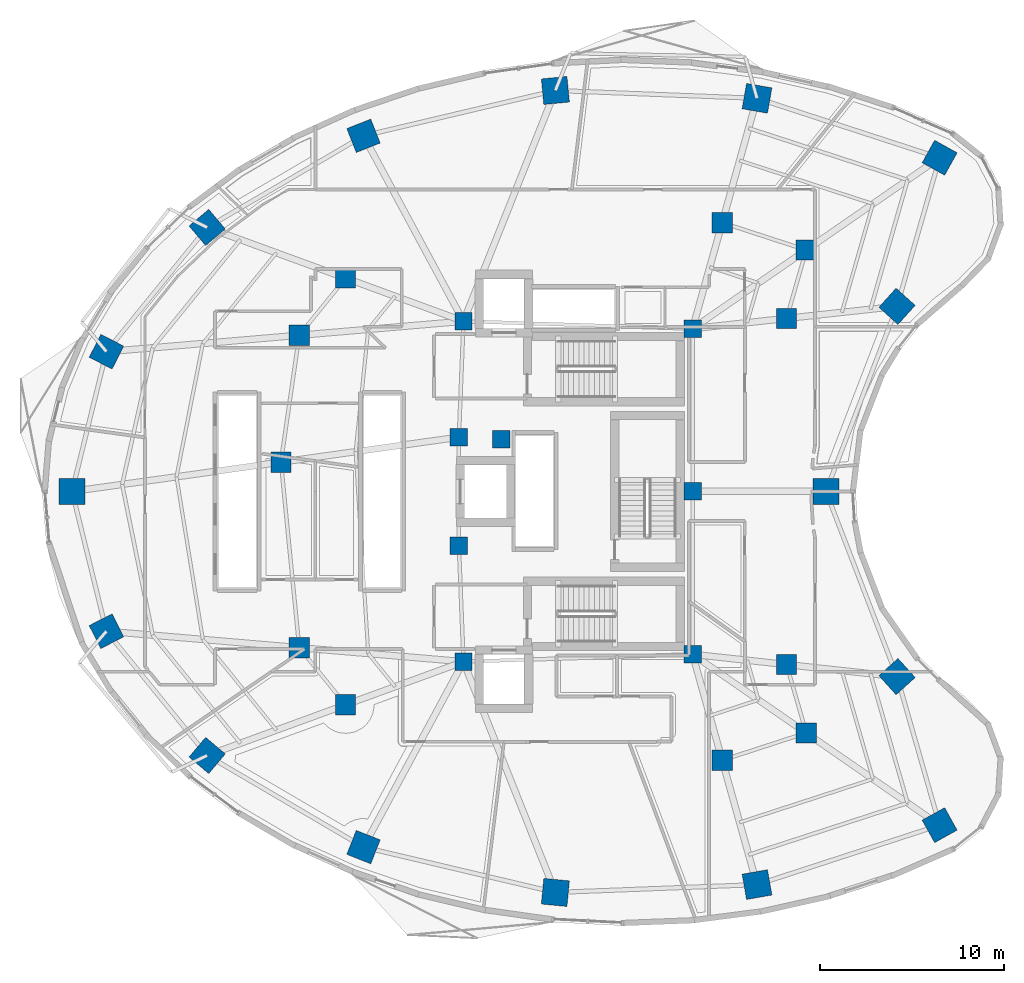
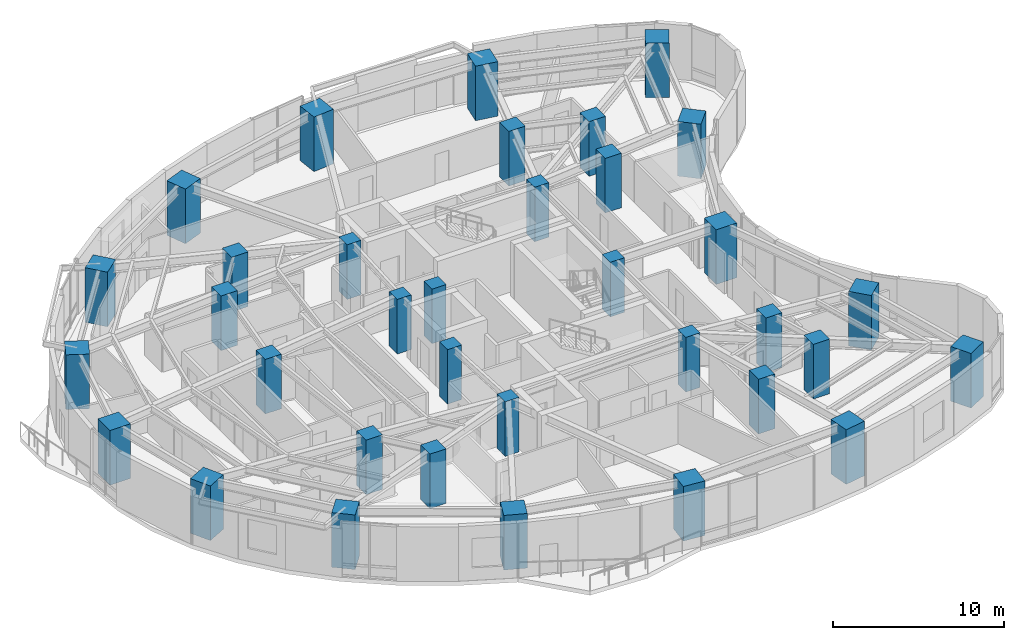
# One storey, part 1 of 16: 35 columns.
"""IFC4 building model written with IfcOpenShell, lengths in metres."""

from ifc_helpers import new_model, si_unit, direction, frame, origin, origin_2d, place, context, subcontext, project, spatial, rectangle, extrude, material, material_profile, profile_set, type_object, element, save


model = new_model("IFC4")

# Units and contexts
model_context = context("Model", 3, precision=1e-05, world=origin(), true_north=direction((0.0, 1.0)))
body_context = subcontext(model_context, "Body", "Model", "MODEL_VIEW")
ifc_project = project(units=[si_unit("LENGTHUNIT", "METRE"), si_unit("AREAUNIT", "SQUARE_METRE"), si_unit("VOLUMEUNIT", "CUBIC_METRE"), si_unit("PLANEANGLEUNIT", "RADIAN"), si_unit("MASSUNIT", "GRAM", prefix="KILO")], contexts=[model_context])

# Site, building, storey
site_placement = place(None, origin())
site = spatial("IfcSite", under=ifc_project, at=site_placement, CompositionType="ELEMENT")
building_placement = place(site_placement, origin())
building = spatial("IfcBuilding", under=site, at=building_placement, Name="Korentha Bioscience Tower", CompositionType="ELEMENT")
storey_placement = place(building_placement, frame((0.0, 0.0, 59.39990234375)))
storey = spatial("IfcBuildingStorey", under=building, at=storey_placement, Name="L13", CompositionType="ELEMENT", Elevation=59.39990234375)

# Columns
ifc_material_1 = material(Name="Concrete C65", Category="concrete")
ifc_material_profile_1 = material_profile(ifc_material_1, rectangle(XDim=0.949951171875, YDim=0.949951171875, at=origin_2d()), Name="Concrete C65")
ifc_profile_set_1 = profile_set([ifc_material_profile_1], Name="Concrete C65 (COL-CP09)")
column_type_1 = type_object("IfcColumnType", Name="Core Pilaster Column RC 950x950", PredefinedType="PILASTER", material=ifc_profile_set_1)
for number, where, z_axis, x_axis, name in (
    (1, (37.550048828125, 35.85009765625, -0.00048828125), (0.0, 0.0, 1.0), (1.0, 0.0, 0.0), "L13 Core Pilaster CP-01"),
    (2, (25.10009765625, 36.25, -0.00048828125), (0.0, 0.0, 1.0), (1.0, 0.0, 0.0), "L13 Core Pilaster CP-02"),
    (3, (24.85009765625, 29.949951171875, -0.00048828125), (0.0, 0.0, 1.0), (1.0, 0.0, 0.0), "L13 Core Pilaster CP-03"),
    (4, (27.14990234375, 29.85009765625, -0.00048828125), (0.0, 0.0, 1.0), (1.0, 0.0, 0.0), "L13 Core Pilaster CP-04"),
    (5, (24.85009765625, 24.050048828125, -0.00048828125), (0.0, 0.0, 1.0), (1.0, 0.0, 0.0), "L13 Core Pilaster CP-05"),
    (6, (25.10009765625, 17.75, -0.00048828125), (0.0, 0.0, 1.0), (1.0, 0.0, 0.0), "L13 Core Pilaster CP-06"),
    (7, (37.550048828125, 18.14990234375, -0.00048828125), (0.0, 0.0, 1.0), (1.0, 0.0, 0.0), "L13 Core Pilaster CP-07"),
    (8, (37.550048828125, 27.0, -0.00048828125), (0.0, 0.0, 1.0), (1.0, 0.0, 0.0), "L13 Core Pilaster CP-08"),
):
    element("IfcColumn", number, at=place(storey_placement, frame(where, z_axis=z_axis, x_axis=x_axis)), inside=storey, type_object=column_type_1, Name=name, PredefinedType="PILASTER", context=body_context, shape_type="SweptSolid", body=[
        extrude(rectangle(XDim=0.949951171875, YDim=0.949951171875, at=origin_2d()), origin(), (0.0, 0.0, 1.0), 3.901123046875),
    ])
ifc_material_2 = material(Name="Concrete C80", Category="concrete")
ifc_material_profile_2 = material_profile(ifc_material_2, rectangle(XDim=1.10009765625, YDim=1.10009765625, at=origin_2d()), Name="Concrete C80")
ifc_profile_set_2 = profile_set([ifc_material_profile_2], Name="Concrete C80 (COL-MR11)")
column_type_2 = type_object("IfcColumnType", Name="Mid-Ring Lab Column RC 1100x1100", PredefinedType="COLUMN", material=ifc_profile_set_2)
for number, where, z_axis, x_axis, name in (
    (9, (43.7265625, 40.121337890625, -0.00048828125), (0.0, 0.0, 1.0), (1.0, 0.0, 0.0), "L13 Mid-Ring Column 01"),
    (10, (39.1611328125, 41.607666015625, -0.00048828125), (0.0, 0.0, 1.0), (1.0, 0.0, 0.0), "L13 Mid-Ring Column 02"),
    (11, (18.692138671875, 38.5947265625, -0.00048828125), (0.0, 0.0, 1.0), (1.0, 0.0, 0.0), "L13 Mid-Ring Column 05"),
    (12, (16.174072265625, 35.489013671875, -0.00048828125), (0.0, 0.0, 1.0), (1.0, 0.0, 0.0), "L13 Mid-Ring Column 06"),
    (13, (15.1787109375, 28.593505859375, -0.00048828125), (0.0, 0.0, 1.0), (1.0, 0.0, 0.0), "L13 Mid-Ring Column 07"),
    (14, (16.174072265625, 18.510986328125, -0.00048828125), (0.0, 0.0, 1.0), (1.0, 0.0, 0.0), "L13 Mid-Ring Column 08"),
    (15, (18.692138671875, 15.4052734375, -0.00048828125), (0.0, 0.0, 1.0), (1.0, 0.0, 0.0), "L13 Mid-Ring Column 09"),
    (16, (39.1611328125, 12.392333984375, -0.00048828125), (0.0, 0.0, 1.0), (1.0, 0.0, 0.0), "L13 Mid-Ring Column 12"),
    (17, (43.7265625, 13.878662109375, -0.00048828125), (0.0, 0.0, 1.0), (1.0, 0.0, 0.0), "L13 Mid-Ring Column 13"),
    (18, (42.66162109375, 17.593017578125, -0.00048828125), (0.0, 0.0, 1.0), (1.0, 0.0, 0.0), "L13 Mid-Ring Column 14"),
    (19, (42.66162109375, 36.406982421875, -0.00048828125), (0.0, 0.0, 1.0), (1.0, 0.0, 0.0), "L13 Mid-Ring Column 16"),
):
    element("IfcColumn", number, at=place(storey_placement, frame(where, z_axis=z_axis, x_axis=x_axis)), inside=storey, type_object=column_type_2, Name=name, PredefinedType="COLUMN", context=body_context, shape_type="SweptSolid", body=[
        extrude(rectangle(XDim=1.10009765625, YDim=1.10009765625, at=origin_2d()), origin(), (0.0, 0.0, 1.0), 3.901123046875),
    ])
ifc_material_profile_3 = material_profile(ifc_material_2, rectangle(XDim=1.39990234375, YDim=1.39990234375, at=origin_2d()), Name="Concrete C80")
ifc_profile_set_3 = profile_set([ifc_material_profile_3], Name="Concrete C80 (COL-P14)")
column_type_3 = type_object("IfcColumnType", Name="Perimeter Column RC 1400x1400", PredefinedType="COLUMN", material=ifc_profile_set_3)
for number, where, z_axis, x_axis, name in (
    (20, (50.977294921875, 45.135498046875, -0.00048828125), (0.0, 0.0, 1.0), (-0.874535078577, 0.484962262797, 0.0), "L13 Perimeter Column 01"),
    (21, (41.052490234375, 48.36669921875, -0.00048828125), (0.0, 0.0, 1.0), (-0.984868307662, 0.173304404339, 0.0), "L13 Perimeter Column 02"),
    (22, (30.09423828125, 48.79248046875, -0.00048828125), (0.0, 0.0, 1.0), (0.995462868748, 0.095150811579, 0.0), "L13 Perimeter Column 03"),
    (23, (19.66650390625, 46.328857421875, -0.00048828125), (0.0, 0.0, 1.0), (0.930225540858, 0.366988341962, 0.0), "L13 Perimeter Column 04"),
    (24, (11.169921875, 41.34716796875, -0.00048828125), (0.0, 0.0, 1.0), (0.764246456939, 0.644924300253, 0.0), "L13 Perimeter Column 05"),
    (25, (5.69580078125, 34.595703125, -0.00048828125), (0.0, 0.0, 1.0), (0.453057191132, 0.891481453292, 0.0), "L13 Perimeter Column 06"),
    (26, (3.825439453125, 27.000732421875, -0.00048828125), (0.0, 0.0, 1.0), (0.0, 1.0, 0.0), "L13 Perimeter Column 07"),
    (27, (5.69580078125, 19.404296875, -0.00048828125), (0.0, 0.0, 1.0), (-0.453057191132, 0.891481453292, 0.0), "L13 Perimeter Column 08"),
    (28, (11.169921875, 12.65283203125, -0.00048828125), (0.0, 0.0, 1.0), (-0.764246456939, 0.644924300253, 0.0), "L13 Perimeter Column 09"),
    (29, (19.66650390625, 7.671142578125, -0.00048828125), (0.0, 0.0, 1.0), (-0.930225540858, 0.366988341962, 0.0), "L13 Perimeter Column 10"),
    (30, (30.09423828125, 5.20751953125, -0.00048828125), (0.0, 0.0, 1.0), (-0.995462868748, 0.095150811579, 0.0), "L13 Perimeter Column 11"),
    (31, (41.052490234375, 5.63330078125, -0.00048828125), (0.0, 0.0, 1.0), (0.984868307662, 0.173304404339, 0.0), "L13 Perimeter Column 12"),
    (32, (50.977294921875, 8.864501953125, -0.00048828125), (0.0, 0.0, 1.0), (0.874535078577, 0.484962262797, 0.0), "L13 Perimeter Column 13"),
    (33, (48.661865234375, 16.939208984375, -0.00048828125), (0.0, 0.0, 1.0), (-0.669130606359, 0.743144825477, 0.0), "L13 Perimeter Column 14"),
    (34, (44.798583984375, 27.0, -0.00048828125), (0.0, 0.0, 1.0), (0.0, 1.0, 0.0), "L13 Perimeter Column 15"),
    (35, (48.661865234375, 37.060791015625, -0.00048828125), (0.0, 0.0, 1.0), (0.669130606359, 0.743144825477, 0.0), "L13 Perimeter Column 16"),
):
    element("IfcColumn", number, at=place(storey_placement, frame(where, z_axis=z_axis, x_axis=x_axis)), inside=storey, type_object=column_type_3, Name=name, PredefinedType="COLUMN", context=body_context, shape_type="SweptSolid", body=[
        extrude(rectangle(XDim=1.39990234375, YDim=1.39990234375, at=origin_2d()), origin(), (0.0, 0.0, 1.0), 3.901123046875),
    ])

save(model, "model.ifc")
